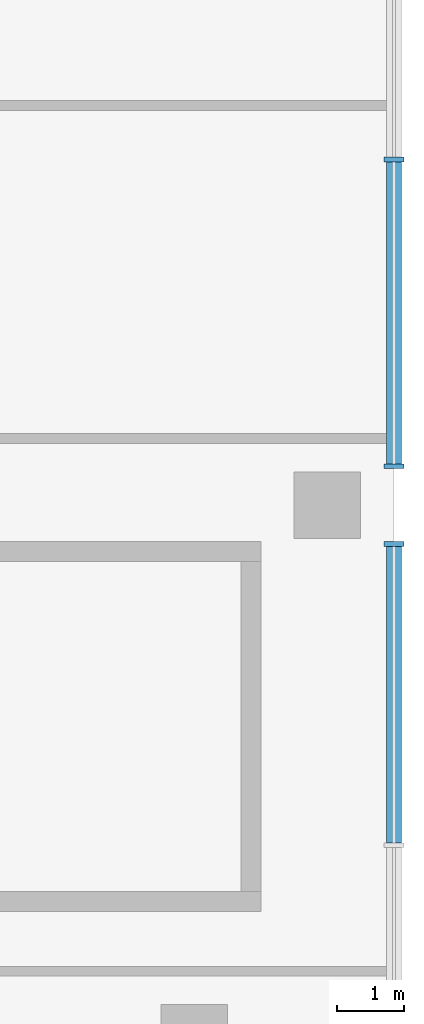
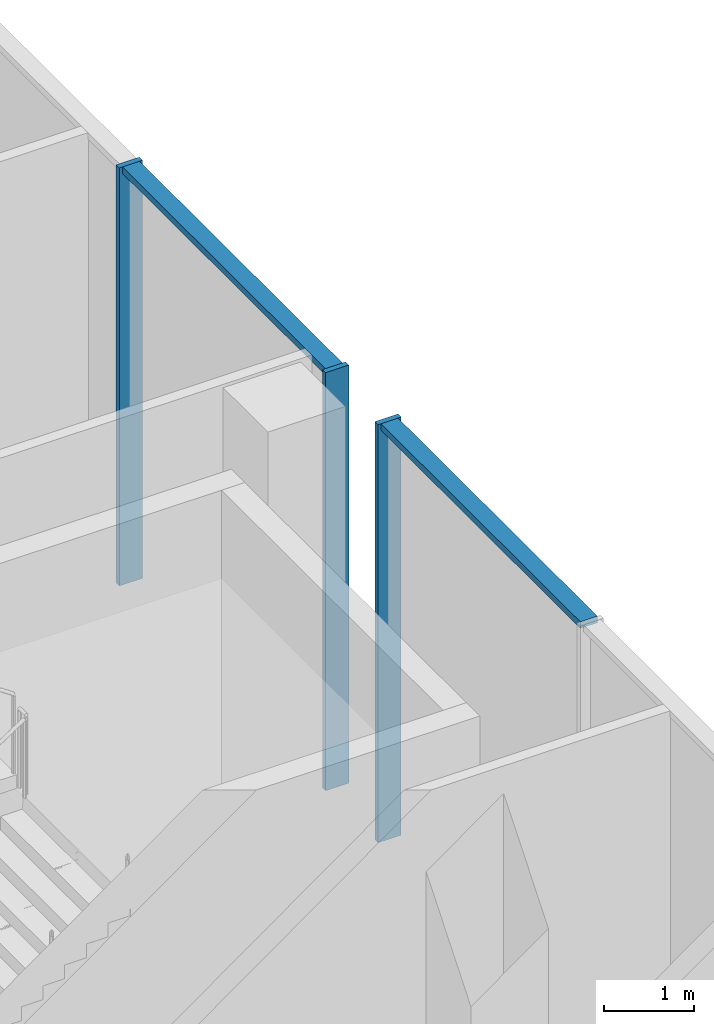
# One storey, part 5 of 30: 5 members, 2 elements without a shape of their own.
"""IFC4 building model written with IfcOpenShell, lengths in metres."""

from ifc_helpers import new_model, si_unit, direction, frame, origin, origin_2d, place, context, subcontext, project, spatial, rectangle, extrude, material, material_profile, profile_set, type_object, element, aggregate, save


model = new_model("IFC4")

# Units and contexts
model_context = context("Model", 3, precision=1e-05, world=origin(), true_north=direction((0.0, 1.0)))
body_context = subcontext(model_context, "Body", "Model", "MODEL_VIEW")
ifc_project = project(units=[si_unit("LENGTHUNIT", "METRE"), si_unit("AREAUNIT", "SQUARE_METRE"), si_unit("VOLUMEUNIT", "CUBIC_METRE"), si_unit("PLANEANGLEUNIT", "RADIAN"), si_unit("MASSUNIT", "GRAM", prefix="KILO")], contexts=[model_context])

# Site, building, storey
site_placement = place(None, origin())
site = spatial("IfcSite", under=ifc_project, at=site_placement, CompositionType="ELEMENT")
building_placement = place(site_placement, origin())
building = spatial("IfcBuilding", under=site, at=building_placement, Name="Wharfspan Tower", CompositionType="ELEMENT")
storey_placement = place(building_placement, frame((0.0, 0.0, 21.5)))
storey = spatial("IfcBuildingStorey", under=building, at=storey_placement, Name="L03", CompositionType="ELEMENT", Elevation=21.5)

# Curtain wall, member
ifc_material = material(Name="Aluminium 6063-T6", Category="aluminium")
curtain_wall_type = type_object("IfcCurtainWallType", Name="CURTAIN WALL ARENA STICK WALL", PredefinedType="NOTDEFINED", material=ifc_material)
curtain_wall_1_placement = place(storey_placement, origin())
curtain_wall_1 = element("IfcCurtainWall", 1, at=curtain_wall_1_placement, inside=storey, type_object=curtain_wall_type, Name="Concourse stick wall PF3.2", PredefinedType="NOTDEFINED")
ifc_material_profile_1 = material_profile(ifc_material, rectangle(XDim=0.300049, YDim=0.070068, at=origin_2d()))
ifc_profile_set_1 = profile_set([ifc_material_profile_1], Name="Aluminium 6063-T6")
member_type_1 = type_object("IfcMemberType", Name="MULLION ARENA STICK WALL 70x300", PredefinedType="MULLION", material=ifc_profile_set_1)
member_1_placement = place(storey_placement, frame((108.0, 25.415039, 0.0), z_axis=(0.0, 0.0, 1.0), x_axis=(-1.0, 0.0, 0.0)))
member_1 = element("IfcMember", 2, at=member_1_placement, type_object=member_type_1, Name="Concourse stick wall PF3.2 mullion 8", PredefinedType="MULLION", context=body_context, shape_type="SweptSolid", body=[
    extrude(rectangle(XDim=0.300049, YDim=0.070068, at=origin_2d()), origin(), (0.0, 0.0, 1.0), 5.699951),
])

# Curtain wall, members
curtain_wall_2_placement = place(storey_placement, origin())
curtain_wall_2 = element("IfcCurtainWall", 3, at=curtain_wall_2_placement, inside=storey, type_object=curtain_wall_type, Name="Concourse stick wall PF3.3", PredefinedType="NOTDEFINED")
member_2_placement = place(storey_placement, frame((108.0, 26.584961, 0.0), z_axis=(0.0, 0.0, 1.0), x_axis=(-1.0, 0.0, 0.0)))
member_2 = element("IfcMember", 4, at=member_2_placement, type_object=member_type_1, Name="Concourse stick wall PF3.3 mullion 1", PredefinedType="MULLION", context=body_context, shape_type="SweptSolid", body=[
    extrude(rectangle(XDim=0.300049, YDim=0.070068, at=origin_2d()), origin(), (0.0, 0.0, 1.0), 5.699951),
])
member_3_placement = place(storey_placement, frame((108.0, 31.189941, 0.0), z_axis=(0.0, 0.0, 1.0), x_axis=(-1.0, 0.0, 0.0)))
member_3 = element("IfcMember", 5, at=member_3_placement, type_object=member_type_1, Name="Concourse stick wall PF3.3 mullion 2", PredefinedType="MULLION", context=body_context, shape_type="SweptSolid", body=[
    extrude(rectangle(XDim=0.300049, YDim=0.070068, at=origin_2d()), origin(), (0.0, 0.0, 1.0), 5.699951),
])

# Member
ifc_material_profile_2 = material_profile(ifc_material, rectangle(XDim=0.219971, YDim=0.090088, at=origin_2d()))
ifc_profile_set_2 = profile_set([ifc_material_profile_2], Name="Aluminium 6063-T6")
member_type_2 = type_object("IfcMemberType", Name="TRANSOM ARENA STICK WALL 90x220", PredefinedType="USERDEFINED", material=ifc_profile_set_2)
member_4_placement = place(storey_placement, frame((108.0, 20.927979, 5.655029), z_axis=(0.0, 1.0, 0.0), x_axis=(-1.0, 0.0, 0.0)))
member_4 = element("IfcMember", 6, at=member_4_placement, type_object=member_type_2, Name="Concourse stick wall PF3.2 transom 7", ObjectType="TRANSOM", PredefinedType="USERDEFINED", context=body_context, shape_type="SweptSolid", body=[
    extrude(rectangle(XDim=0.219971, YDim=0.090088, at=origin_2d()), origin(), (0.0, 0.0, 1.0), 4.451904),
])

aggregate(curtain_wall_1, [member_1, member_4])

member_5_placement = place(storey_placement, frame((108.0, 26.620117, 5.655029), z_axis=(0.0, 1.0, 0.0), x_axis=(-1.0, 0.0, 0.0)))
member_5 = element("IfcMember", 7, at=member_5_placement, type_object=member_type_2, Name="Concourse stick wall PF3.3 transom 1", ObjectType="TRANSOM", PredefinedType="USERDEFINED", context=body_context, shape_type="SweptSolid", body=[
    extrude(rectangle(XDim=0.219971, YDim=0.090088, at=origin_2d()), origin(), (0.0, 0.0, 1.0), 4.534912),
])

aggregate(curtain_wall_2, [member_2, member_3, member_5])

save(model, "model.ifc")
